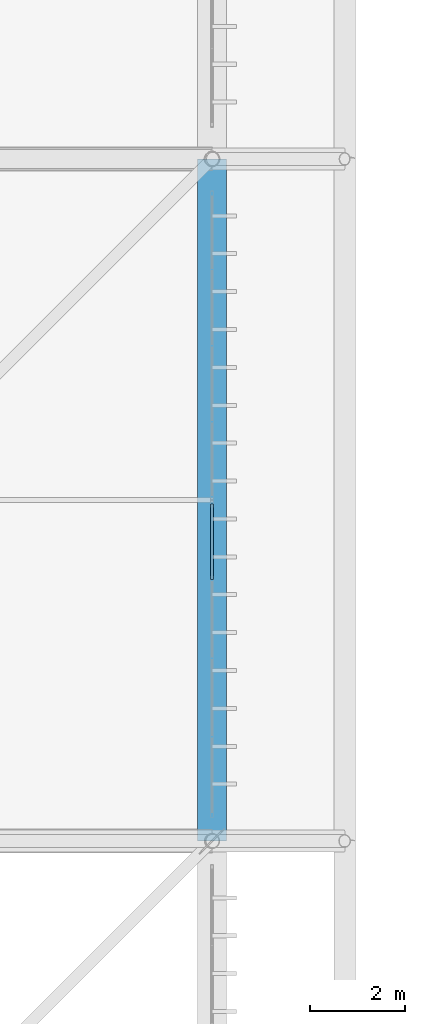
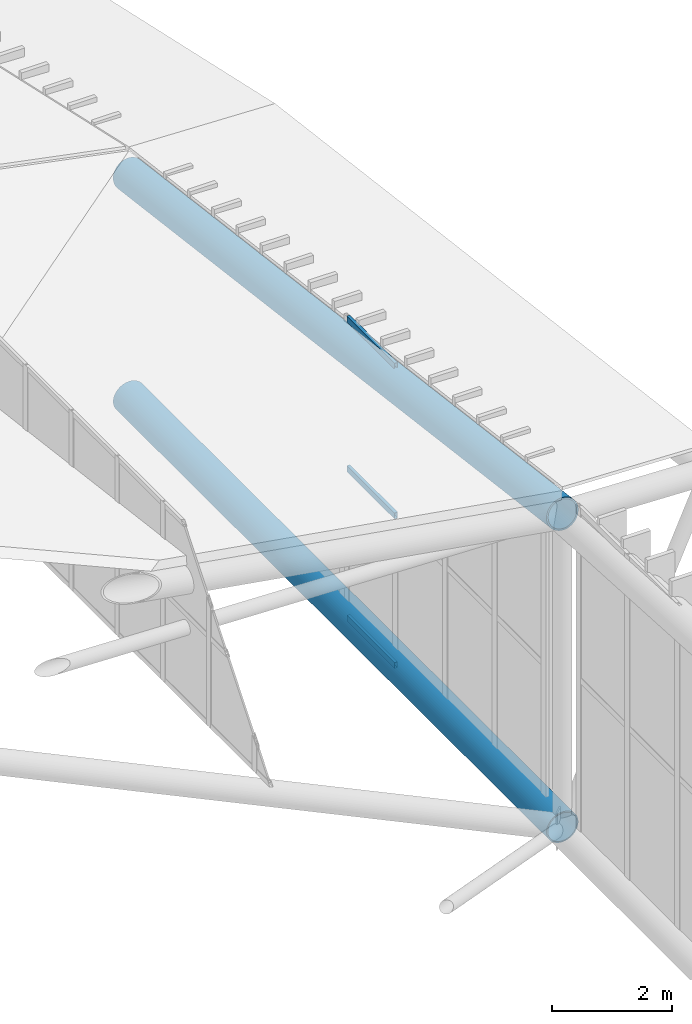
# One storey, part 296 of 397: 3 members, 2 beams, 1 element without a shape of its own.
"""IFC4 building model written with IfcOpenShell, lengths in metres."""

import ifcopenshell
import ifcopenshell.guid

model = None  # the IFC model being written
_history = None  # IfcOwnerHistory: only IFC2X3 demands one
_inside = {}  # id of a spatial element -> (the spatial element, [elements in it])
_under = {}  # id of a project, library or spatial element -> (it, [spatial elements below it])
_declared = {}  # id of a project -> (the project, [libraries it declares])
_typed = {}  # id of a type object -> (the type object, [elements of that type])
_made_of = {}  # id of a material, layer set ... -> (it, [elements and type objects made of it])


def new_model(schema):
    """Start an empty IFC model of exactly this schema.

    Asked for "IFC4X3", IfcOpenShell would pick the latest addendum, in which some entities
    have other attributes; the version numbers below select the first issue.
    IFC2X3 requires an IfcOwnerHistory on every rooted entity: one is made here for all.
    """
    global model, _history
    if schema == "IFC4X3":
        model = ifcopenshell.file(schema_version=(4, 3, 0, 0))
    else:
        model = ifcopenshell.file(schema=schema)
    _inside.clear()
    _under.clear()
    _declared.clear()
    _typed.clear()
    _made_of.clear()
    _history = None
    if model.schema == "IFC2X3":
        org = make("IfcOrganization", Name="unknown")
        user = make(
            "IfcPersonAndOrganization",
            ThePerson=make("IfcPerson", FamilyName="unknown"),
            TheOrganization=org,
        )
        app = make(
            "IfcApplication",
            ApplicationDeveloper=org,
            Version="unknown",
            ApplicationFullName="unknown",
            ApplicationIdentifier="unknown",
        )
        _history = make(
            "IfcOwnerHistory",
            OwningUser=user,
            OwningApplication=app,
            ChangeAction="ADDED",
            CreationDate=0,
        )
    return model


def make(cls, **values):
    """One entity of the class cls with the attributes given. An attribute that is None is left unset."""
    return model.create_entity(
        cls, **{name: value for name, value in values.items() if value is not None}
    )


def rooted(cls, **values):
    """An entity with a GlobalId (a new one), such as an element, a storey or a relation."""
    return make(cls, GlobalId=ifcopenshell.guid.new(), OwnerHistory=_history, **values)


def si_unit(unit_type, name, prefix=None):
    """IfcSIUnit, for example si_unit("LENGTHUNIT", "METRE", prefix="MILLI")."""
    return make("IfcSIUnit", UnitType=unit_type, Prefix=prefix, Name=name)


def assignment(units):
    """IfcUnitAssignment: the units of a project."""
    return None if units is None else make("IfcUnitAssignment", Units=units)


def point(xyz):
    """IfcCartesianPoint."""
    return None if xyz is None else make("IfcCartesianPoint", Coordinates=xyz)


def direction(xyz):
    """IfcDirection."""
    return None if xyz is None else make("IfcDirection", DirectionRatios=xyz)


def frame(location, z_axis=None, x_axis=None):
    """IfcAxis2Placement3D, a coordinate frame: its origin and axes. An axis left out is left unset."""
    return make(
        "IfcAxis2Placement3D",
        Location=point(location),
        Axis=direction(z_axis),
        RefDirection=direction(x_axis),
    )


def frame_2d(location, x_axis=None):
    """IfcAxis2Placement2D, a coordinate frame in the plane: its origin and x axis."""
    return make(
        "IfcAxis2Placement2D", Location=point(location), RefDirection=direction(x_axis)
    )


def origin():
    """The frame at (0, 0, 0) with its axes left unset."""
    return frame((0.0, 0.0, 0.0))


def origin_2d():
    """The frame at (0, 0) in the plane with its x axis left unset."""
    return frame_2d((0.0, 0.0))


def place(relative_to, where):
    """IfcLocalPlacement: puts the frame where relative to a parent placement (None: the world)."""
    return make(
        "IfcLocalPlacement", PlacementRelTo=relative_to, RelativePlacement=where
    )


def context(
    kind, dimensions, precision=None, world=None, true_north=None, identifier=None
):
    """IfcGeometricRepresentationContext, for example the 3D "Model" context."""
    return make(
        "IfcGeometricRepresentationContext",
        ContextIdentifier=identifier,
        ContextType=kind,
        CoordinateSpaceDimension=dimensions,
        Precision=precision,
        WorldCoordinateSystem=world,
        TrueNorth=true_north,
    )


def subcontext(parent, identifier, kind, view, scale=None):
    """IfcGeometricRepresentationSubContext, for example "Body" below "Model"."""
    return make(
        "IfcGeometricRepresentationSubContext",
        ContextIdentifier=identifier,
        ContextType=kind,
        ParentContext=parent,
        TargetScale=scale,
        TargetView=view,
    )


def project(units=None, contexts=None):
    """IfcProject with its units and contexts."""
    return rooted(
        "IfcProject",
        Name="project",
        RepresentationContexts=contexts,
        UnitsInContext=assignment(units),
    )


def spatial(cls, under=None, at=None, **own):
    """A site, building, storey or space (cls), placed at a placement, below another one or the project."""
    s = rooted(cls, ObjectPlacement=at, **own)
    if under is not None:
        _under.setdefault(under.id(), (under, []))[1].append(s)
    return s


def profile(cls, at=None, kind="AREA", **sizes):
    """A parametric profile (cls). Its sizes go by their IFC names, for example OverallWidth=200.0."""
    return make(cls, ProfileType=kind, Position=at, **sizes)


def hollow_rectangle(**sizes):
    """IfcRectangleHollowProfileDef."""
    return profile("IfcRectangleHollowProfileDef", **sizes)


def hollow_circle(**sizes):
    """IfcCircleHollowProfileDef."""
    return profile("IfcCircleHollowProfileDef", **sizes)


def extrude(swept, where, along, depth):
    """IfcExtrudedAreaSolid: the profile swept, set in the frame where, extruded along a direction by depth."""
    return make(
        "IfcExtrudedAreaSolid",
        SweptArea=swept,
        Position=where,
        ExtrudedDirection=direction(along),
        Depth=depth,
    )


def shape(context_of_items, identifier, shape_type, items):
    """IfcShapeRepresentation: the items that make up one representation, for example the "Body"."""
    return make(
        "IfcShapeRepresentation",
        ContextOfItems=context_of_items,
        RepresentationIdentifier=identifier,
        RepresentationType=shape_type,
        Items=items,
    )


def material(Name=None, Category=None):
    """IfcMaterial."""
    return make("IfcMaterial", Name=Name, Category=Category)


def material_profile(
    of_material, cross_section, Name=None, Category=None, Priority=None
):
    """IfcMaterialProfile: a cross section and its material."""
    return make(
        "IfcMaterialProfile",
        Name=Name,
        Material=of_material,
        Profile=cross_section,
        Priority=Priority,
        Category=Category,
    )


def profile_set(profiles, Name=None, composite=None):
    """IfcMaterialProfileSet."""
    return make(
        "IfcMaterialProfileSet",
        Name=Name,
        MaterialProfiles=profiles,
        CompositeProfile=composite,
    )


def made_of(thing, what):
    """Note that an element or type object is made of a material, layer set ...; save() writes the relation."""
    if what is not None:
        _made_of.setdefault(what.id(), (what, []))[1].append(thing)
    return thing


def type_object(cls, material=None, **own):
    """A type object (cls), such as IfcWallType, which elements share."""
    return made_of(rooted(cls, **own), material)


def element(
    cls,
    number,
    at=None,
    inside=None,
    cuts=None,
    type_object=None,
    material=None,
    context=None,
    identifier="Body",
    shape_type=None,
    held_by="IfcProductDefinitionShape",
    body=None,
    shapes=None,
    **own,
):
    """One element of the class cls, such as IfcWall. Its Tag is "e" and its number.

    at: its placement. inside: the storey or other place that contains it. cuts: it is an
    opening in that element (IfcRelVoidsElement). A single representation is given by context,
    identifier, shape_type and body (its items); several are given by shapes. held_by: the class
    of the entity that holds the representations. save() writes the other relations.
    """
    e = rooted(cls, Tag="e%d" % number, ObjectPlacement=at, **own)
    if body is not None:
        shapes = [shape(context, identifier, shape_type, body)]
    if shapes is not None:
        e.Representation = make(held_by, Representations=shapes)
    if inside is not None:
        _inside.setdefault(inside.id(), (inside, []))[1].append(e)
    if cuts is not None:
        rooted(
            "IfcRelVoidsElement", RelatingBuildingElement=cuts, RelatedOpeningElement=e
        )
    if type_object is not None:
        _typed.setdefault(type_object.id(), (type_object, []))[1].append(e)
    return made_of(e, material)


def aggregate(whole, parts):
    """IfcRelAggregates: a whole, such as a stair, and the parts it consists of."""
    return rooted("IfcRelAggregates", RelatingObject=whole, RelatedObjects=parts)


def save(model, path):
    """Write the relations noted so far, then the file.

    IfcRelAggregates (storeys below a building ...), IfcRelContainedInSpatialStructure (elements
    in a storey), IfcRelDefinesByType, IfcRelAssociatesMaterial and IfcRelDeclares: one each for
    every whole, place, type object, material and project.
    """
    for whole, parts in _under.values():
        aggregate(whole, parts)
    for where, things in _inside.values():
        rooted(
            "IfcRelContainedInSpatialStructure",
            RelatedElements=things,
            RelatingStructure=where,
        )
    for kind, things in _typed.values():
        rooted("IfcRelDefinesByType", RelatedObjects=things, RelatingType=kind)
    for what, things in _made_of.values():
        rooted("IfcRelAssociatesMaterial", RelatedObjects=things, RelatingMaterial=what)
    for by, libraries in _declared.values():
        rooted("IfcRelDeclares", RelatingContext=by, RelatedDefinitions=libraries)
    model.write(path)


model = new_model("IFC4")

# Units and contexts
model_context = context("Model", 3, precision=1e-05, world=origin(), true_north=direction((0.0, 1.0)))
body_context = subcontext(model_context, "Body", "Model", "MODEL_VIEW")
ifc_project = project(units=[si_unit("LENGTHUNIT", "METRE"), si_unit("AREAUNIT", "SQUARE_METRE"), si_unit("VOLUMEUNIT", "CUBIC_METRE"), si_unit("PLANEANGLEUNIT", "RADIAN"), si_unit("MASSUNIT", "GRAM", prefix="KILO")], contexts=[model_context])

# Site, building, storey
site_placement = place(None, origin())
site = spatial("IfcSite", under=ifc_project, at=site_placement, CompositionType="ELEMENT")
building_placement = place(site_placement, origin())
building = spatial("IfcBuilding", under=site, at=building_placement, Name="Qandorah Velis Arena", CompositionType="ELEMENT")
storey_placement = place(building_placement, frame((0.0, 0.0, 27.5)))
storey = spatial("IfcBuildingStorey", under=building, at=storey_placement, Name="RF", CompositionType="ELEMENT", Elevation=27.5)

# Curtain wall, members
ifc_material_1 = material(Name="Solar-control low-E double glazing", Category="glass")
curtain_wall_type = type_object("IfcCurtainWallType", Name="ARC-CW-SYS15", PredefinedType="USERDEFINED", material=ifc_material_1)
curtain_wall_placement = place(storey_placement, origin())
curtain_wall = element("IfcCurtainWall", 1, at=curtain_wall_placement, inside=storey, type_object=curtain_wall_type, Name="Unitised curtain wall CROWN-2-07S1", ObjectType="UNITISED CURTAIN WALL", PredefinedType="USERDEFINED")
ifc_material_2 = material(Name="Champagne-bronze anodized aluminium 6063-T6", Category="aluminium")
ifc_material_profile_1 = material_profile(ifc_material_2, hollow_rectangle(XDim=0.06005859375, YDim=0.1201171875, WallThickness=0.0029296875, at=origin_2d()), Name="ALU TRANSOM 60x120")
ifc_profile_set_1 = profile_set([ifc_material_profile_1], Name="Champagne-bronze anodized aluminium 6063-T6")
member_type = type_object("IfcMemberType", Name="ARC-CWT-120", PredefinedType="USERDEFINED", material=ifc_profile_set_1)
member_1_placement = place(storey_placement, frame((115.199951171875, 91.925537109375, 0.030029296875), z_axis=(0.0, 1.0, 0.0), x_axis=(-1.0, 0.0, 0.0)))
member_1 = element("IfcMember", 2, at=member_1_placement, type_object=member_type, Name="CW15 transom 4.1", ObjectType="TRANSOM", PredefinedType="USERDEFINED", context=body_context, shape_type="SweptSolid", body=[
    extrude(hollow_rectangle(XDim=0.06005859375, YDim=0.1201171875, WallThickness=0.0029296875, at=origin_2d()), origin(), (0.0, 0.0, 1.0), 1.58642578125),
])
member_2_placement = place(storey_placement, frame((115.199951171875, 91.925537109375, 3.064697265625), z_axis=(0.0, 1.0, 0.0), x_axis=(-1.0, 0.0, 0.0)))
member_2 = element("IfcMember", 3, at=member_2_placement, type_object=member_type, Name="CW15 transom 4.2", ObjectType="TRANSOM", PredefinedType="USERDEFINED", context=body_context, shape_type="SweptSolid", body=[
    extrude(hollow_rectangle(XDim=0.06005859375, YDim=0.1201171875, WallThickness=0.0029296875, at=origin_2d()), origin(), (0.0, 0.0, 1.0), 1.58642578125),
])
member_3_placement = place(storey_placement, frame((115.199951171875, 91.925537109375, 6.099609375), z_axis=(0.0, 1.0, 0.0), x_axis=(-1.0, 0.0, 0.0)))
member_3 = element("IfcMember", 4, at=member_3_placement, type_object=member_type, Name="CW15 transom 4.3", ObjectType="TRANSOM", PredefinedType="USERDEFINED", context=body_context, shape_type="SweptSolid", body=[
    extrude(hollow_rectangle(XDim=0.06005859375, YDim=0.1201171875, WallThickness=0.0029296875, at=origin_2d()), origin(), (0.0, 0.0, 1.0), 1.58642578125),
])
aggregate(curtain_wall, [member_1, member_2, member_3])

# Beams
ifc_material_3 = material(Name="Steel S460", Category="steel")
ifc_material_profile_2 = material_profile(ifc_material_3, hollow_circle(Radius=0.304931640625, WallThickness=0.02490234375, at=origin_2d()), Name="CHS 610x25")
ifc_profile_set_2 = profile_set([ifc_material_profile_2], Name="Steel S460")
beam_type_1 = type_object("IfcBeamType", Name="STR-SFC-CHS610X25", PredefinedType="USERDEFINED", material=ifc_profile_set_2)
beam_1_placement = place(storey_placement, frame((115.199951171875, 86.39990234375, 0.10009765625), z_axis=(0.0, 1.0, 0.0), x_axis=(-1.0, 0.0, 0.0)))
element("IfcBeam", 5, at=beam_1_placement, inside=storey, type_object=beam_type_1, Name="Space frame roof truss bottom chord Y 7.5", ObjectType="ROOF TRUSS", PredefinedType="USERDEFINED", context=body_context, shape_type="SweptSolid", body=[
    extrude(hollow_circle(Radius=0.304931640625, WallThickness=0.02490234375, at=origin_2d()), origin(), (0.0, 0.0, 1.0), 14.400146484375),
])
ifc_material_profile_3 = material_profile(ifc_material_3, hollow_circle(Radius=0.304931640625, WallThickness=0.031982421875, at=origin_2d()), Name="CHS 610x32")
ifc_profile_set_3 = profile_set([ifc_material_profile_3], Name="Steel S460")
beam_type_2 = type_object("IfcBeamType", Name="STR-SFC-CHS610X32", PredefinedType="USERDEFINED", material=ifc_profile_set_3)
beam_2_placement = place(storey_placement, frame((115.199951171875, 86.39990234375, 6.448486328125), z_axis=(0.0, 0.991934445753, -0.12675194408), x_axis=(-1.0, 0.0, 0.0)))
element("IfcBeam", 6, at=beam_2_placement, inside=storey, type_object=beam_type_2, Name="Space frame roof truss top chord Y 7.5", ObjectType="ROOF TRUSS", PredefinedType="USERDEFINED", context=body_context, shape_type="SweptSolid", body=[
    extrude(hollow_circle(Radius=0.304931640625, WallThickness=0.031982421875, at=origin_2d()), origin(), (0.0, 0.0, 1.0), 14.517333984375),
])

save(model, "model.ifc")
